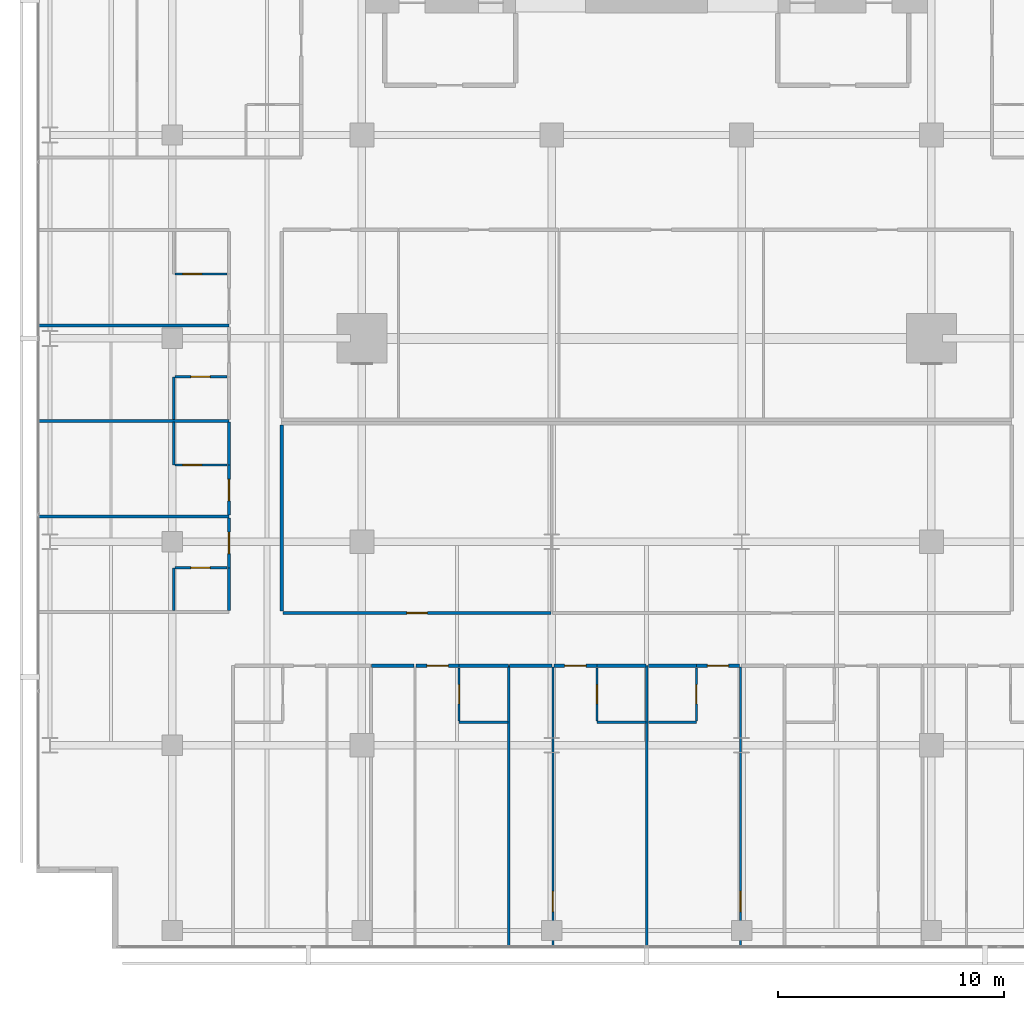
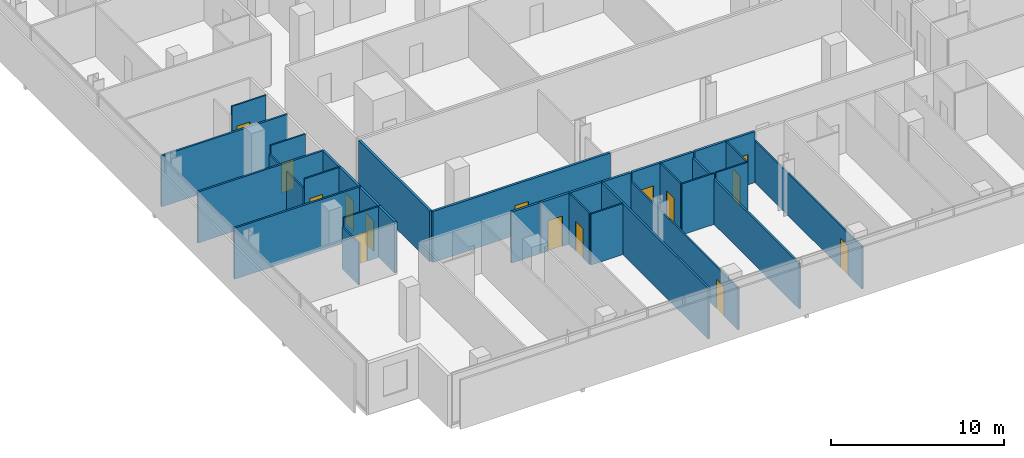
# One storey, part 33 of 40: 34 walls, 15 doors, 15 openings.
"""IFC4 building model written with IfcOpenShell, lengths in metres."""

from ifc_helpers import new_model, si_unit, direction, frame, frame_2d, origin, place, context, subcontext, project, spatial, rectangle, extrude, material, layer, layer_set, type_object, element, fill, save


model = new_model("IFC4")

# Units and contexts
model_context = context("Model", 3, precision=1e-05, world=origin(), true_north=direction((0.0, 1.0)))
body_context = subcontext(model_context, "Body", "Model", "MODEL_VIEW")
ifc_project = project(units=[si_unit("LENGTHUNIT", "METRE"), si_unit("AREAUNIT", "SQUARE_METRE"), si_unit("VOLUMEUNIT", "CUBIC_METRE"), si_unit("PLANEANGLEUNIT", "RADIAN"), si_unit("MASSUNIT", "GRAM", prefix="KILO")], contexts=[model_context])

# Site, building, storey
site_placement = place(None, origin())
site = spatial("IfcSite", under=ifc_project, at=site_placement, CompositionType="ELEMENT")
building_placement = place(site_placement, origin())
building = spatial("IfcBuilding", under=site, at=building_placement, Name="Maruvema Waterfront Hotel and Observation Tower", CompositionType="ELEMENT")
storey_placement = place(building_placement, frame((0.0, 0.0, 34.64990234375)))
storey = spatial("IfcBuildingStorey", under=building, at=storey_placement, Name="L07", CompositionType="ELEMENT", Elevation=34.64990234375)

# Wall
ifc_material_1 = material(Name="Twin-stud acoustic gypsum drywall", Category="gypsum")
ifc_layer_1 = layer(ifc_material_1, 0.14990234375, Name="Acoustic Corridor and Suite Demising Wall 150 mm")
ifc_layer_set_1 = layer_set([ifc_layer_1], Name="Twin-stud acoustic gypsum drywall")
wall_type_1 = type_object("IfcWallType", Name="Acoustic Corridor and Suite Demising Wall 150 mm", PredefinedType="PARTITIONING", material=ifc_layer_set_1)
wall_1_placement = place(storey_placement, frame((21.64990234375, 14.929931640625, 0.0), z_axis=(0.0, 0.0, 1.0), x_axis=(0.0, 1.0, 0.0)))
element("IfcWall", 1, at=wall_1_placement, inside=storey, type_object=wall_type_1, Name="L07 L07-INTS West Wall 023", PredefinedType="PARTITIONING", context=body_context, shape_type="SweptSolid", body=[
    extrude(rectangle(XDim=8.22998046875, YDim=0.14990234375, at=frame_2d((4.114990234375, 0.0))), origin(), (0.0, 0.0, 1.0), 3.610107421875),
])

# Wall, opening, door
wall_2_placement = place(storey_placement, frame((21.7099609375, 14.85009765625, 0.0), z_axis=(0.0, 0.0, 1.0), x_axis=(1.0, 0.0, 0.0)))
wall_2 = element("IfcWall", 2, at=wall_2_placement, inside=storey, type_object=wall_type_1, Name="L07 L07-INTS Front 1 025", PredefinedType="PARTITIONING", context=body_context, shape_type="SweptSolid", body=[
    extrude(rectangle(XDim=11.861083984375, YDim=0.14990234375, at=frame_2d((5.9306640625, 0.0))), origin(), (0.0, 0.0, 1.0), 3.610107421875),
])
opening_1_placement = place(wall_2_placement, frame((5.48046875, 0.0, 0.0)))
opening_1 = element("IfcOpeningElement", 3, at=opening_1_placement, cuts=wall_2, Name="Opening DR-090", PredefinedType="OPENING", context=body_context, shape_type="SweptSolid", body=[
    extrude(rectangle(XDim=0.89990234375, YDim=2.10009765625, at=frame_2d((0.449951171875, 1.050048828125))), frame((0.0, 0.0849609375, 0.0), z_axis=(0.0, -1.0, 0.0), x_axis=(1.0, 0.0, 0.0)), (0.0, 0.0, 1.0), 0.169921875),
])
ifc_material_2 = material(Name="Solid-core lacquered timber leaf", Category="wood")
door_type_1 = type_object("IfcDoorType", Name="Accessible Toilet and Room Door 900x2100 mm", OperationType="NOTDEFINED", PredefinedType="DOOR", material=ifc_material_2)
door_1_placement = place(opening_1_placement, frame((0.89990234375, 0.0, 0.0), z_axis=(0.0, 0.0, 1.0), x_axis=(-1.0, 0.0, 0.0)))
door_1 = element("IfcDoor", 4, at=door_1_placement, inside=storey, type_object=door_type_1, Name="L07 Guest Lounge West Door", OperationType="SINGLE_SWING_LEFT", OverallHeight=2.10009765625, OverallWidth=0.89990234375, PredefinedType="DOOR", context=body_context, shape_type="SweptSolid", body=[
    extrude(rectangle(XDim=0.89990234375, YDim=2.10009765625, at=frame_2d((0.449951171875, 1.050048828125))), frame((0.0, 0.02490234375, 0.0), z_axis=(0.0, -1.0, 0.0), x_axis=(1.0, 0.0, 0.0)), (0.0, 0.0, 1.0), 0.050048828125),
])
fill(opening_1, door_1)

# Walls
wall_3_placement = place(storey_placement, frame((29.5, 12.52001953125, 0.0), z_axis=(0.0, 0.0, 1.0), x_axis=(1.0, 0.0, 0.0)))
element("IfcWall", 5, at=wall_3_placement, inside=storey, type_object=wall_type_1, Name="L07 Bath L07-S2 Back Wall 037", PredefinedType="PARTITIONING", context=body_context, shape_type="SweptSolid", body=[
    extrude(rectangle(XDim=2.179931640625, YDim=0.14990234375, at=frame_2d((1.08984375, 0.0))), origin(), (0.0, 0.0, 1.0), 3.610107421875),
])
wall_4_placement = place(storey_placement, frame((25.6201171875, 12.52001953125, 0.0), z_axis=(0.0, 0.0, 1.0), x_axis=(1.0, 0.0, 0.0)))
element("IfcWall", 6, at=wall_4_placement, inside=storey, type_object=wall_type_1, Name="L07 Bedroom L07-S2 Back Wall 040", PredefinedType="PARTITIONING", context=body_context, shape_type="SweptSolid", body=[
    extrude(rectangle(XDim=1.889892578125, YDim=0.14990234375, at=frame_2d((0.94482421875, 0.0))), origin(), (0.0, 0.0, 1.0), 3.610107421875),
])

# Wall, opening, door
wall_5_placement = place(storey_placement, frame((27.590087890625, 12.52001953125, 0.0), z_axis=(0.0, 0.0, 1.0), x_axis=(1.0, 0.0, 0.0)))
wall_5 = element("IfcWall", 7, at=wall_5_placement, inside=storey, type_object=wall_type_1, Name="L07 Unit L07-S2 Corridor Wall 041", PredefinedType="PARTITIONING", context=body_context, shape_type="SweptSolid", body=[
    extrude(rectangle(XDim=1.909912109375, YDim=0.14990234375, at=frame_2d((0.955078125, 0.0))), origin(), (0.0, 0.0, 1.0), 3.610107421875),
])
opening_2_placement = place(wall_5_placement, frame((0.47998046875, 0.0, 0.0)))
opening_2 = element("IfcOpeningElement", 8, at=opening_2_placement, cuts=wall_5, Name="Opening DR-095", PredefinedType="OPENING", context=body_context, shape_type="SweptSolid", body=[
    extrude(rectangle(XDim=0.949951171875, YDim=2.14990234375, at=frame_2d((0.47509765625, 1.074951171875))), frame((0.0, 0.0849609375, 0.0), z_axis=(0.0, -1.0, 0.0), x_axis=(1.0, 0.0, 0.0)), (0.0, 0.0, 1.0), 0.169921875),
])
ifc_material_3 = material(Name="Acoustic solid-core hardwood timber leaf", Category="wood")
door_type_2 = type_object("IfcDoorType", Name="Guestroom Entrance Fire Door 950x2150 mm", OperationType="NOTDEFINED", PredefinedType="DOOR", material=ifc_material_3)
door_2_placement = place(opening_2_placement, frame((0.949951171875, 0.0, 0.0), z_axis=(0.0, 0.0, 1.0), x_axis=(-1.0, 0.0, 0.0)))
door_2 = element("IfcDoor", 9, at=door_2_placement, inside=storey, type_object=door_type_2, Name="L07 Unit L07-S2 Entrance Door", OperationType="SINGLE_SWING_LEFT", OverallHeight=2.14990234375, OverallWidth=0.949951171875, PredefinedType="DOOR", context=body_context, shape_type="SweptSolid", body=[
    extrude(rectangle(XDim=0.949951171875, YDim=2.14990234375, at=frame_2d((0.47509765625, 1.074951171875))), frame((0.0, 0.02490234375, 0.0), z_axis=(0.0, -1.0, 0.0), x_axis=(1.0, 0.0, 0.0)), (0.0, 0.0, 1.0), 0.050048828125),
])
fill(opening_2, door_2)

# Walls
wall_6_placement = place(storey_placement, frame((35.60009765625, 12.52001953125, 0.0), z_axis=(0.0, 0.0, 1.0), x_axis=(1.0, 0.0, 0.0)))
element("IfcWall", 10, at=wall_6_placement, inside=storey, type_object=wall_type_1, Name="L07 Bath L07-S3 Back Wall 044", PredefinedType="PARTITIONING", context=body_context, shape_type="SweptSolid", body=[
    extrude(rectangle(XDim=2.179931640625, YDim=0.14990234375, at=frame_2d((1.08984375, 0.0))), origin(), (0.0, 0.0, 1.0), 3.610107421875),
])
wall_7_placement = place(storey_placement, frame((31.719970703125, 12.52001953125, 0.0), z_axis=(0.0, 0.0, 1.0), x_axis=(1.0, 0.0, 0.0)))
element("IfcWall", 11, at=wall_7_placement, inside=storey, type_object=wall_type_1, Name="L07 Bedroom L07-S3 Back Wall 047", PredefinedType="PARTITIONING", context=body_context, shape_type="SweptSolid", body=[
    extrude(rectangle(XDim=1.89013671875, YDim=0.14990234375, at=frame_2d((0.945068359375, 0.0))), origin(), (0.0, 0.0, 1.0), 3.610107421875),
])

# Wall, opening, door
wall_8_placement = place(storey_placement, frame((33.68994140625, 12.52001953125, 0.0), z_axis=(0.0, 0.0, 1.0), x_axis=(1.0, 0.0, 0.0)))
wall_8 = element("IfcWall", 12, at=wall_8_placement, inside=storey, type_object=wall_type_1, Name="L07 Unit L07-S3 Corridor Wall 048", PredefinedType="PARTITIONING", context=body_context, shape_type="SweptSolid", body=[
    extrude(rectangle(XDim=1.91015625, YDim=0.14990234375, at=frame_2d((0.955078125, 0.0))), origin(), (0.0, 0.0, 1.0), 3.610107421875),
])
opening_3_placement = place(wall_8_placement, frame((0.47998046875, 0.0, 0.0)))
opening_3 = element("IfcOpeningElement", 13, at=opening_3_placement, cuts=wall_8, Name="Opening DR-095", PredefinedType="OPENING", context=body_context, shape_type="SweptSolid", body=[
    extrude(rectangle(XDim=0.949951171875, YDim=2.14990234375, at=frame_2d((0.47509765625, 1.074951171875))), frame((0.0, 0.0849609375, 0.0), z_axis=(0.0, -1.0, 0.0), x_axis=(1.0, 0.0, 0.0)), (0.0, 0.0, 1.0), 0.169921875),
])
door_3_placement = place(opening_3_placement, frame((0.949951171875, 0.0, 0.0), z_axis=(0.0, 0.0, 1.0), x_axis=(-1.0, 0.0, 0.0)))
door_3 = element("IfcDoor", 14, at=door_3_placement, inside=storey, type_object=door_type_2, Name="L07 Unit L07-S3 Entrance Door", OperationType="SINGLE_SWING_RIGHT", OverallHeight=2.14990234375, OverallWidth=0.949951171875, PredefinedType="DOOR", context=body_context, shape_type="SweptSolid", body=[
    extrude(rectangle(XDim=0.949951171875, YDim=2.14990234375, at=frame_2d((0.47509765625, 1.074951171875))), frame((0.0, 0.02490234375, 0.0), z_axis=(0.0, -1.0, 0.0), x_axis=(1.0, 0.0, 0.0)), (0.0, 0.0, 1.0), 0.050048828125),
])
fill(opening_3, door_3)

# Wall
wall_9_placement = place(storey_placement, frame((37.8798828125, 12.52001953125, 0.0), z_axis=(0.0, 0.0, 1.0), x_axis=(1.0, 0.0, 0.0)))
element("IfcWall", 15, at=wall_9_placement, inside=storey, type_object=wall_type_1, Name="L07 Bath L07-S4 Back Wall 051", PredefinedType="PARTITIONING", context=body_context, shape_type="SweptSolid", body=[
    extrude(rectangle(XDim=2.1201171875, YDim=0.14990234375, at=frame_2d((1.06005859375, 0.0))), origin(), (0.0, 0.0, 1.0), 3.610107421875),
])

# Wall, opening, door
wall_10_placement = place(storey_placement, frame((40.0, 12.52001953125, 0.0), z_axis=(0.0, 0.0, 1.0), x_axis=(1.0, 0.0, 0.0)))
wall_10 = element("IfcWall", 16, at=wall_10_placement, inside=storey, type_object=wall_type_1, Name="L07 Unit L07-S4 Corridor Wall 054", PredefinedType="PARTITIONING", context=body_context, shape_type="SweptSolid", body=[
    extrude(rectangle(XDim=1.909912109375, YDim=0.14990234375, at=frame_2d((0.955078125, 0.0))), origin(), (0.0, 0.0, 1.0), 3.610107421875),
])
opening_4_placement = place(wall_10_placement, frame((0.47998046875, 0.0, 0.0)))
opening_4 = element("IfcOpeningElement", 17, at=opening_4_placement, cuts=wall_10, Name="Opening DR-095", PredefinedType="OPENING", context=body_context, shape_type="SweptSolid", body=[
    extrude(rectangle(XDim=0.949951171875, YDim=2.14990234375, at=frame_2d((0.47509765625, 1.074951171875))), frame((0.0, 0.0849609375, 0.0), z_axis=(0.0, -1.0, 0.0), x_axis=(1.0, 0.0, 0.0)), (0.0, 0.0, 1.0), 0.169921875),
])
door_4_placement = place(opening_4_placement, frame((0.949951171875, 0.0, 0.0), z_axis=(0.0, 0.0, 1.0), x_axis=(-1.0, 0.0, 0.0)))
door_4 = element("IfcDoor", 18, at=door_4_placement, inside=storey, type_object=door_type_2, Name="L07 Unit L07-S4 Entrance Door", OperationType="SINGLE_SWING_LEFT", OverallHeight=2.14990234375, OverallWidth=0.949951171875, PredefinedType="DOOR", context=body_context, shape_type="SweptSolid", body=[
    extrude(rectangle(XDim=0.949951171875, YDim=2.14990234375, at=frame_2d((0.47509765625, 1.074951171875))), frame((0.0, 0.02490234375, 0.0), z_axis=(0.0, -1.0, 0.0), x_axis=(1.0, 0.0, 0.0)), (0.0, 0.0, 1.0), 0.050048828125),
])
fill(opening_4, door_4)

# Wall
wall_11_placement = place(storey_placement, frame((19.320068359375, 14.9599609375, 0.0), z_axis=(0.0, 0.0, 1.0), x_axis=(0.0, 1.0, 0.0)))
element("IfcWall", 19, at=wall_11_placement, inside=storey, type_object=wall_type_1, Name="L07 Bath L07-W1 Wall 075", PredefinedType="PARTITIONING", context=body_context, shape_type="SweptSolid", body=[
    extrude(rectangle(XDim=1.89013671875, YDim=0.14990234375, at=frame_2d((0.945068359375, 0.0))), origin(), (0.0, 0.0, 1.0), 3.610107421875),
])

# Wall, opening, door
wall_12_placement = place(storey_placement, frame((19.320068359375, 16.85009765625, 0.0), z_axis=(0.0, 0.0, 1.0), x_axis=(0.0, 1.0, 0.0)))
wall_12 = element("IfcWall", 20, at=wall_12_placement, inside=storey, type_object=wall_type_1, Name="L07 Room L07-W1 Corridor Wall 076", PredefinedType="PARTITIONING", context=body_context, shape_type="SweptSolid", body=[
    extrude(rectangle(XDim=2.2099609375, YDim=0.14990234375, at=frame_2d((1.10498046875, 0.0))), origin(), (0.0, 0.0, 1.0), 3.610107421875),
])
opening_5_placement = place(wall_12_placement, frame((0.6298828125, 0.0, 0.0)))
opening_5 = element("IfcOpeningElement", 21, at=opening_5_placement, cuts=wall_12, Name="Opening DR-095", PredefinedType="OPENING", context=body_context, shape_type="SweptSolid", body=[
    extrude(rectangle(XDim=0.949951171875, YDim=2.14990234375, at=frame_2d((0.47509765625, 1.074951171875))), frame((0.0, 0.0849609375, 0.0), z_axis=(0.0, -1.0, 0.0), x_axis=(1.0, 0.0, 0.0)), (0.0, 0.0, 1.0), 0.169921875),
])
door_5_placement = place(opening_5_placement, origin())
door_5 = element("IfcDoor", 22, at=door_5_placement, inside=storey, type_object=door_type_2, Name="L07 Room L07-W1 Entrance Door", OperationType="SINGLE_SWING_RIGHT", OverallHeight=2.14990234375, OverallWidth=0.949951171875, PredefinedType="DOOR", context=body_context, shape_type="SweptSolid", body=[
    extrude(rectangle(XDim=0.949951171875, YDim=2.14990234375, at=frame_2d((0.47509765625, 1.074951171875))), frame((0.0, 0.02490234375, 0.0), z_axis=(0.0, -1.0, 0.0), x_axis=(1.0, 0.0, 0.0)), (0.0, 0.0, 1.0), 0.050048828125),
])
fill(opening_5, door_5)

wall_13_placement = place(storey_placement, frame((19.320068359375, 19.179931640625, 0.0), z_axis=(0.0, 0.0, 1.0), x_axis=(0.0, 1.0, 0.0)))
wall_13 = element("IfcWall", 23, at=wall_13_placement, inside=storey, type_object=wall_type_1, Name="L07 Room L07-W2 Corridor Wall 085", PredefinedType="PARTITIONING", context=body_context, shape_type="SweptSolid", body=[
    extrude(rectangle(XDim=2.219970703125, YDim=0.14990234375, at=frame_2d((1.10986328125, 0.0))), origin(), (0.0, 0.0, 1.0), 3.610107421875),
])
opening_6_placement = place(wall_13_placement, frame((0.635009765625, 0.0, 0.0)))
opening_6 = element("IfcOpeningElement", 24, at=opening_6_placement, cuts=wall_13, Name="Opening DR-095", PredefinedType="OPENING", context=body_context, shape_type="SweptSolid", body=[
    extrude(rectangle(XDim=0.949951171875, YDim=2.14990234375, at=frame_2d((0.47509765625, 1.074951171875))), frame((0.0, 0.0849609375, 0.0), z_axis=(0.0, -1.0, 0.0), x_axis=(1.0, 0.0, 0.0)), (0.0, 0.0, 1.0), 0.169921875),
])
door_6_placement = place(opening_6_placement, origin())
door_6 = element("IfcDoor", 25, at=door_6_placement, inside=storey, type_object=door_type_2, Name="L07 Room L07-W2 Entrance Door", OperationType="SINGLE_SWING_RIGHT", OverallHeight=2.14990234375, OverallWidth=0.949951171875, PredefinedType="DOOR", context=body_context, shape_type="SweptSolid", body=[
    extrude(rectangle(XDim=0.949951171875, YDim=2.14990234375, at=frame_2d((0.47509765625, 1.074951171875))), frame((0.0, 0.02490234375, 0.0), z_axis=(0.0, -1.0, 0.0), x_axis=(1.0, 0.0, 0.0)), (0.0, 0.0, 1.0), 0.050048828125),
])
fill(opening_6, door_6)

# Walls
wall_14_placement = place(storey_placement, frame((19.320068359375, 21.39990234375, 0.0), z_axis=(0.0, 0.0, 1.0), x_axis=(0.0, 1.0, 0.0)))
element("IfcWall", 26, at=wall_14_placement, inside=storey, type_object=wall_type_1, Name="L07 Bath L07-W2 Wall 086", PredefinedType="PARTITIONING", context=body_context, shape_type="SweptSolid", body=[
    extrude(rectangle(XDim=1.89013671875, YDim=0.14990234375, at=frame_2d((0.945068359375, 0.0))), origin(), (0.0, 0.0, 1.0), 3.610107421875),
])
ifc_material_4 = material(Name="Moisture-resistant cement-board drywall", Category="gypsum")
ifc_layer_2 = layer(ifc_material_4, 0.10009765625, Name="En-Suite Moisture-Resistant Partition 100 mm")
ifc_layer_set_2 = layer_set([ifc_layer_2], Name="Moisture-resistant cement-board drywall")
wall_type_2 = type_object("IfcWallType", Name="En-Suite Moisture-Resistant Partition 100 mm", PredefinedType="PARTITIONING", material=ifc_layer_set_2)
wall_15_placement = place(storey_placement, frame((29.5, 10.02001953125, 0.0), z_axis=(0.0, 0.0, 1.0), x_axis=(1.0, 0.0, 0.0)))
element("IfcWall", 27, at=wall_15_placement, inside=storey, type_object=wall_type_2, Name="L07 En-Suite L07-S2 South 038", PredefinedType="PARTITIONING", context=body_context, shape_type="SweptSolid", body=[
    extrude(rectangle(XDim=2.159912109375, YDim=0.10009765625, at=frame_2d((1.080078125, 0.0))), origin(), (0.0, 0.0, 1.0), 3.610107421875),
])

# Wall, opening, door
wall_16_placement = place(storey_placement, frame((29.5, 10.080078125, 0.0), z_axis=(0.0, 0.0, 1.0), x_axis=(0.0, 1.0, 0.0)))
wall_16 = element("IfcWall", 28, at=wall_16_placement, inside=storey, type_object=wall_type_2, Name="L07 En-Suite L07-S2 West 039", PredefinedType="PARTITIONING", context=body_context, shape_type="SweptSolid", body=[
    extrude(rectangle(XDim=2.33984375, YDim=0.10009765625, at=frame_2d((1.169921875, 0.0))), origin(), (0.0, 0.0, 1.0), 3.610107421875),
])
opening_7_placement = place(wall_16_placement, frame((0.7451171875, 0.0, 0.0)))
opening_7 = element("IfcOpeningElement", 29, at=opening_7_placement, cuts=wall_16, Name="Opening DR-085", PredefinedType="OPENING", context=body_context, shape_type="SweptSolid", body=[
    extrude(rectangle(XDim=0.85009765625, YDim=2.10009765625, at=frame_2d((0.425048828125, 1.050048828125))), frame((0.0, 0.06005859375, 0.0), z_axis=(0.0, -1.0, 0.0), x_axis=(1.0, 0.0, 0.0)), (0.0, 0.0, 1.0), 0.1201171875),
])
ifc_material_5 = material(Name="Moisture-resistant solid timber leaf", Category="wood")
door_type_3 = type_object("IfcDoorType", Name="En-Suite Bathroom Door 850x2100 mm", OperationType="NOTDEFINED", PredefinedType="DOOR", material=ifc_material_5)
door_7_placement = place(opening_7_placement, origin())
door_7 = element("IfcDoor", 30, at=door_7_placement, inside=storey, type_object=door_type_3, Name="L07 En-Suite L07-S2 Door", OperationType="SINGLE_SWING_RIGHT", OverallHeight=2.10009765625, OverallWidth=0.85009765625, PredefinedType="DOOR", context=body_context, shape_type="SweptSolid", body=[
    extrude(rectangle(XDim=0.85009765625, YDim=2.10009765625, at=frame_2d((0.425048828125, 1.050048828125))), frame((0.0, 0.02490234375, 0.0), z_axis=(0.0, -1.0, 0.0), x_axis=(1.0, 0.0, 0.0)), (0.0, 0.0, 1.0), 0.050048828125),
])
fill(opening_7, door_7)

# Wall
wall_17_placement = place(storey_placement, frame((35.60009765625, 10.02001953125, 0.0), z_axis=(0.0, 0.0, 1.0), x_axis=(1.0, 0.0, 0.0)))
element("IfcWall", 31, at=wall_17_placement, inside=storey, type_object=wall_type_2, Name="L07 En-Suite L07-S3 South 045", PredefinedType="PARTITIONING", context=body_context, shape_type="SweptSolid", body=[
    extrude(rectangle(XDim=2.159912109375, YDim=0.10009765625, at=frame_2d((1.080078125, 0.0))), origin(), (0.0, 0.0, 1.0), 3.610107421875),
])

# Wall, opening, door
wall_18_placement = place(storey_placement, frame((35.60009765625, 10.080078125, 0.0), z_axis=(0.0, 0.0, 1.0), x_axis=(0.0, 1.0, 0.0)))
wall_18 = element("IfcWall", 32, at=wall_18_placement, inside=storey, type_object=wall_type_2, Name="L07 En-Suite L07-S3 West 046", PredefinedType="PARTITIONING", context=body_context, shape_type="SweptSolid", body=[
    extrude(rectangle(XDim=2.33984375, YDim=0.10009765625, at=frame_2d((1.169921875, 0.0))), origin(), (0.0, 0.0, 1.0), 3.610107421875),
])
opening_8_placement = place(wall_18_placement, frame((0.7451171875, 0.0, 0.0)))
opening_8 = element("IfcOpeningElement", 33, at=opening_8_placement, cuts=wall_18, Name="Opening DR-085", PredefinedType="OPENING", context=body_context, shape_type="SweptSolid", body=[
    extrude(rectangle(XDim=0.85009765625, YDim=2.10009765625, at=frame_2d((0.425048828125, 1.050048828125))), frame((0.0, 0.06005859375, 0.0), z_axis=(0.0, -1.0, 0.0), x_axis=(1.0, 0.0, 0.0)), (0.0, 0.0, 1.0), 0.1201171875),
])
door_8_placement = place(opening_8_placement, origin())
door_8 = element("IfcDoor", 34, at=door_8_placement, inside=storey, type_object=door_type_3, Name="L07 En-Suite L07-S3 Door", OperationType="SINGLE_SWING_LEFT", OverallHeight=2.10009765625, OverallWidth=0.85009765625, PredefinedType="DOOR", context=body_context, shape_type="SweptSolid", body=[
    extrude(rectangle(XDim=0.85009765625, YDim=2.10009765625, at=frame_2d((0.425048828125, 1.050048828125))), frame((0.0, 0.02490234375, 0.0), z_axis=(0.0, -1.0, 0.0), x_axis=(1.0, 0.0, 0.0)), (0.0, 0.0, 1.0), 0.050048828125),
])
fill(opening_8, door_8)

wall_19_placement = place(storey_placement, frame((33.64990234375, 0.030029296875, 0.0), z_axis=(0.0, 0.0, 1.0), x_axis=(0.0, 1.0, 0.0)))
wall_19 = element("IfcWall", 35, at=wall_19_placement, inside=storey, type_object=wall_type_2, Name="L07 Suite L07-S3 Split 049", PredefinedType="PARTITIONING", context=body_context, shape_type="SweptSolid", body=[
    extrude(rectangle(XDim=12.429931640625, YDim=0.10009765625, at=frame_2d((6.21484375, 0.0))), origin(), (0.0, 0.0, 1.0), 2.988037109375),
])
opening_9_placement = place(wall_19_placement, frame((1.60009765625, 0.0, 0.0)))
opening_9 = element("IfcOpeningElement", 36, at=opening_9_placement, cuts=wall_19, Name="Opening DR-090", PredefinedType="OPENING", context=body_context, shape_type="SweptSolid", body=[
    extrude(rectangle(XDim=0.89990234375, YDim=2.10009765625, at=frame_2d((0.449951171875, 1.050048828125))), frame((0.0, 0.06005859375, 0.0), z_axis=(0.0, -1.0, 0.0), x_axis=(1.0, 0.0, 0.0)), (0.0, 0.0, 1.0), 0.1201171875),
])
door_9_placement = place(opening_9_placement, frame((0.89990234375, 0.0, 0.0), z_axis=(0.0, 0.0, 1.0), x_axis=(-1.0, 0.0, 0.0)))
door_9 = element("IfcDoor", 37, at=door_9_placement, inside=storey, type_object=door_type_1, Name="L07 Suite L07-S3 Bedroom Door", OperationType="SINGLE_SWING_LEFT", OverallHeight=2.10009765625, OverallWidth=0.89990234375, PredefinedType="DOOR", context=body_context, shape_type="SweptSolid", body=[
    extrude(rectangle(XDim=0.89990234375, YDim=2.10009765625, at=frame_2d((0.449951171875, 1.050048828125))), frame((0.0, 0.02490234375, 0.0), z_axis=(0.0, -1.0, 0.0), x_axis=(1.0, 0.0, 0.0)), (0.0, 0.0, 1.0), 0.050048828125),
])
fill(opening_9, door_9)

# Wall
wall_20_placement = place(storey_placement, frame((37.8798828125, 10.02001953125, 0.0), z_axis=(0.0, 0.0, 1.0), x_axis=(1.0, 0.0, 0.0)))
element("IfcWall", 38, at=wall_20_placement, inside=storey, type_object=wall_type_2, Name="L07 En-Suite L07-S4 South 052", PredefinedType="PARTITIONING", context=body_context, shape_type="SweptSolid", body=[
    extrude(rectangle(XDim=2.1201171875, YDim=0.10009765625, at=frame_2d((1.06005859375, 0.0))), origin(), (0.0, 0.0, 1.0), 3.610107421875),
])

# Wall, opening, door
wall_21_placement = place(storey_placement, frame((40.0, 10.080078125, 0.0), z_axis=(0.0, 0.0, 1.0), x_axis=(0.0, 1.0, 0.0)))
wall_21 = element("IfcWall", 39, at=wall_21_placement, inside=storey, type_object=wall_type_2, Name="L07 En-Suite L07-S4 East 053", PredefinedType="PARTITIONING", context=body_context, shape_type="SweptSolid", body=[
    extrude(rectangle(XDim=2.33984375, YDim=0.10009765625, at=frame_2d((1.169921875, 0.0))), origin(), (0.0, 0.0, 1.0), 3.610107421875),
])
opening_10_placement = place(wall_21_placement, frame((0.7451171875, 0.0, 0.0)))
opening_10 = element("IfcOpeningElement", 40, at=opening_10_placement, cuts=wall_21, Name="Opening DR-085", PredefinedType="OPENING", context=body_context, shape_type="SweptSolid", body=[
    extrude(rectangle(XDim=0.85009765625, YDim=2.10009765625, at=frame_2d((0.425048828125, 1.050048828125))), frame((0.0, 0.06005859375, 0.0), z_axis=(0.0, -1.0, 0.0), x_axis=(1.0, 0.0, 0.0)), (0.0, 0.0, 1.0), 0.1201171875),
])
door_10_placement = place(opening_10_placement, frame((0.85009765625, 0.0, 0.0), z_axis=(0.0, 0.0, 1.0), x_axis=(-1.0, 0.0, 0.0)))
door_10 = element("IfcDoor", 41, at=door_10_placement, inside=storey, type_object=door_type_3, Name="L07 En-Suite L07-S4 Door", OperationType="SINGLE_SWING_RIGHT", OverallHeight=2.10009765625, OverallWidth=0.85009765625, PredefinedType="DOOR", context=body_context, shape_type="SweptSolid", body=[
    extrude(rectangle(XDim=0.85009765625, YDim=2.10009765625, at=frame_2d((0.425048828125, 1.050048828125))), frame((0.0, 0.02490234375, 0.0), z_axis=(0.0, -1.0, 0.0), x_axis=(1.0, 0.0, 0.0)), (0.0, 0.0, 1.0), 0.050048828125),
])
fill(opening_10, door_10)

wall_22_placement = place(storey_placement, frame((41.949951171875, 0.030029296875, 0.0), z_axis=(0.0, 0.0, 1.0), x_axis=(0.0, 1.0, 0.0)))
wall_22 = element("IfcWall", 42, at=wall_22_placement, inside=storey, type_object=wall_type_2, Name="L07 Suite L07-S4 Split 056", PredefinedType="PARTITIONING", context=body_context, shape_type="SweptSolid", body=[
    extrude(rectangle(XDim=12.429931640625, YDim=0.10009765625, at=frame_2d((6.21484375, 0.0))), origin(), (0.0, 0.0, 1.0), 2.988037109375),
])
opening_11_placement = place(wall_22_placement, frame((1.60009765625, 0.0, 0.0)))
opening_11 = element("IfcOpeningElement", 43, at=opening_11_placement, cuts=wall_22, Name="Opening DR-090", PredefinedType="OPENING", context=body_context, shape_type="SweptSolid", body=[
    extrude(rectangle(XDim=0.89990234375, YDim=2.10009765625, at=frame_2d((0.449951171875, 1.050048828125))), frame((0.0, 0.06005859375, 0.0), z_axis=(0.0, -1.0, 0.0), x_axis=(1.0, 0.0, 0.0)), (0.0, 0.0, 1.0), 0.1201171875),
])
door_11_placement = place(opening_11_placement, origin())
door_11 = element("IfcDoor", 44, at=door_11_placement, inside=storey, type_object=door_type_1, Name="L07 Suite L07-S4 Bedroom Door", OperationType="SINGLE_SWING_RIGHT", OverallHeight=2.10009765625, OverallWidth=0.89990234375, PredefinedType="DOOR", context=body_context, shape_type="SweptSolid", body=[
    extrude(rectangle(XDim=0.89990234375, YDim=2.10009765625, at=frame_2d((0.449951171875, 1.050048828125))), frame((0.0, 0.02490234375, 0.0), z_axis=(0.0, -1.0, 0.0), x_axis=(1.0, 0.0, 0.0)), (0.0, 0.0, 1.0), 0.050048828125),
])
fill(opening_11, door_11)

# Wall
wall_23_placement = place(storey_placement, frame((16.8701171875, 14.9599609375, 0.0), z_axis=(0.0, 0.0, 1.0), x_axis=(0.0, 1.0, 0.0)))
element("IfcWall", 45, at=wall_23_placement, inside=storey, type_object=wall_type_2, Name="L07 En-Suite L07-W1 W 077", PredefinedType="PARTITIONING", context=body_context, shape_type="SweptSolid", body=[
    extrude(rectangle(XDim=1.89013671875, YDim=0.10009765625, at=frame_2d((0.945068359375, 0.0))), origin(), (0.0, 0.0, 1.0), 2.988037109375),
])

# Wall, opening, door
wall_24_placement = place(storey_placement, frame((16.919921875, 16.85009765625, 0.0), z_axis=(0.0, 0.0, 1.0), x_axis=(1.0, 0.0, 0.0)))
wall_24 = element("IfcWall", 46, at=wall_24_placement, inside=storey, type_object=wall_type_2, Name="L07 En-Suite L07-W1 N 078", PredefinedType="PARTITIONING", context=body_context, shape_type="SweptSolid", body=[
    extrude(rectangle(XDim=2.300048828125, YDim=0.10009765625, at=frame_2d((1.14990234375, 0.0))), origin(), (0.0, 0.0, 1.0), 3.610107421875),
])
opening_12_placement = place(wall_24_placement, frame((0.7099609375, 0.0, 0.0)))
opening_12 = element("IfcOpeningElement", 47, at=opening_12_placement, cuts=wall_24, Name="Opening DR-085", PredefinedType="OPENING", context=body_context, shape_type="SweptSolid", body=[
    extrude(rectangle(XDim=0.85009765625, YDim=2.10009765625, at=frame_2d((0.425048828125, 1.050048828125))), frame((0.0, 0.06005859375, 0.0), z_axis=(0.0, -1.0, 0.0), x_axis=(1.0, 0.0, 0.0)), (0.0, 0.0, 1.0), 0.1201171875),
])
door_12_placement = place(opening_12_placement, origin())
door_12 = element("IfcDoor", 48, at=door_12_placement, inside=storey, type_object=door_type_3, Name="L07 En-Suite L07-W1 Door", OperationType="SINGLE_SWING_LEFT", OverallHeight=2.10009765625, OverallWidth=0.85009765625, PredefinedType="DOOR", context=body_context, shape_type="SweptSolid", body=[
    extrude(rectangle(XDim=0.85009765625, YDim=2.10009765625, at=frame_2d((0.425048828125, 1.050048828125))), frame((0.0, 0.02490234375, 0.0), z_axis=(0.0, -1.0, 0.0), x_axis=(1.0, 0.0, 0.0)), (0.0, 0.0, 1.0), 0.050048828125),
])
fill(opening_12, door_12)

# Wall
wall_25_placement = place(storey_placement, frame((16.8701171875, 21.39990234375, 0.0), z_axis=(0.0, 0.0, 1.0), x_axis=(0.0, 1.0, 0.0)))
element("IfcWall", 49, at=wall_25_placement, inside=storey, type_object=wall_type_2, Name="L07 En-Suite L07-W2 W 087", PredefinedType="PARTITIONING", context=body_context, shape_type="SweptSolid", body=[
    extrude(rectangle(XDim=1.89013671875, YDim=0.10009765625, at=frame_2d((0.945068359375, 0.0))), origin(), (0.0, 0.0, 1.0), 2.988037109375),
])

# Wall, opening, door
wall_26_placement = place(storey_placement, frame((16.919921875, 21.39990234375, 0.0), z_axis=(0.0, 0.0, 1.0), x_axis=(1.0, 0.0, 0.0)))
wall_26 = element("IfcWall", 50, at=wall_26_placement, inside=storey, type_object=wall_type_2, Name="L07 En-Suite L07-W2 S 088", PredefinedType="PARTITIONING", context=body_context, shape_type="SweptSolid", body=[
    extrude(rectangle(XDim=2.300048828125, YDim=0.10009765625, at=frame_2d((1.14990234375, 0.0))), origin(), (0.0, 0.0, 1.0), 3.610107421875),
])
opening_13_placement = place(wall_26_placement, frame((0.35009765625, 0.0, 0.0)))
opening_13 = element("IfcOpeningElement", 51, at=opening_13_placement, cuts=wall_26, Name="Opening DR-085", PredefinedType="OPENING", context=body_context, shape_type="SweptSolid", body=[
    extrude(rectangle(XDim=0.85009765625, YDim=2.10009765625, at=frame_2d((0.425048828125, 1.050048828125))), frame((0.0, 0.06005859375, 0.0), z_axis=(0.0, -1.0, 0.0), x_axis=(1.0, 0.0, 0.0)), (0.0, 0.0, 1.0), 0.1201171875),
])
door_13_placement = place(opening_13_placement, frame((0.85009765625, 0.0, 0.0), z_axis=(0.0, 0.0, 1.0), x_axis=(-1.0, 0.0, 0.0)))
door_13 = element("IfcDoor", 52, at=door_13_placement, inside=storey, type_object=door_type_3, Name="L07 En-Suite L07-W2 Door", OperationType="SINGLE_SWING_LEFT", OverallHeight=2.10009765625, OverallWidth=0.85009765625, PredefinedType="DOOR", context=body_context, shape_type="SweptSolid", body=[
    extrude(rectangle(XDim=0.85009765625, YDim=2.10009765625, at=frame_2d((0.425048828125, 1.050048828125))), frame((0.0, 0.02490234375, 0.0), z_axis=(0.0, -1.0, 0.0), x_axis=(1.0, 0.0, 0.0)), (0.0, 0.0, 1.0), 0.050048828125),
])
fill(opening_13, door_13)

# Wall
wall_27_placement = place(storey_placement, frame((16.8701171875, 23.409912109375, 0.0), z_axis=(0.0, 0.0, 1.0), x_axis=(0.0, 1.0, 0.0)))
element("IfcWall", 53, at=wall_27_placement, inside=storey, type_object=wall_type_2, Name="L07 En-Suite L07-W3 W 097", PredefinedType="PARTITIONING", context=body_context, shape_type="SweptSolid", body=[
    extrude(rectangle(XDim=1.89013671875, YDim=0.10009765625, at=frame_2d((0.945068359375, 0.0))), origin(), (0.0, 0.0, 1.0), 2.988037109375),
])

# Wall, opening, door
wall_28_placement = place(storey_placement, frame((16.919921875, 25.300048828125, 0.0), z_axis=(0.0, 0.0, 1.0), x_axis=(1.0, 0.0, 0.0)))
wall_28 = element("IfcWall", 54, at=wall_28_placement, inside=storey, type_object=wall_type_2, Name="L07 En-Suite L07-W3 N 098", PredefinedType="PARTITIONING", context=body_context, shape_type="SweptSolid", body=[
    extrude(rectangle(XDim=2.300048828125, YDim=0.10009765625, at=frame_2d((1.14990234375, 0.0))), origin(), (0.0, 0.0, 1.0), 3.610107421875),
])
opening_14_placement = place(wall_28_placement, frame((0.7099609375, 0.0, 0.0)))
opening_14 = element("IfcOpeningElement", 55, at=opening_14_placement, cuts=wall_28, Name="Opening DR-085", PredefinedType="OPENING", context=body_context, shape_type="SweptSolid", body=[
    extrude(rectangle(XDim=0.85009765625, YDim=2.10009765625, at=frame_2d((0.425048828125, 1.050048828125))), frame((0.0, 0.06005859375, 0.0), z_axis=(0.0, -1.0, 0.0), x_axis=(1.0, 0.0, 0.0)), (0.0, 0.0, 1.0), 0.1201171875),
])
door_14_placement = place(opening_14_placement, origin())
door_14 = element("IfcDoor", 56, at=door_14_placement, inside=storey, type_object=door_type_3, Name="L07 En-Suite L07-W3 Door", OperationType="SINGLE_SWING_LEFT", OverallHeight=2.10009765625, OverallWidth=0.85009765625, PredefinedType="DOOR", context=body_context, shape_type="SweptSolid", body=[
    extrude(rectangle(XDim=0.85009765625, YDim=2.10009765625, at=frame_2d((0.425048828125, 1.050048828125))), frame((0.0, 0.02490234375, 0.0), z_axis=(0.0, -1.0, 0.0), x_axis=(1.0, 0.0, 0.0)), (0.0, 0.0, 1.0), 0.050048828125),
])
fill(opening_14, door_14)

wall_29_placement = place(storey_placement, frame((16.919921875, 29.85009765625, 0.0), z_axis=(0.0, 0.0, 1.0), x_axis=(1.0, 0.0, 0.0)))
wall_29 = element("IfcWall", 57, at=wall_29_placement, inside=storey, type_object=wall_type_2, Name="L07 En-Suite L07-W4 S 108", PredefinedType="PARTITIONING", context=body_context, shape_type="SweptSolid", body=[
    extrude(rectangle(XDim=2.300048828125, YDim=0.10009765625, at=frame_2d((1.14990234375, 0.0))), origin(), (0.0, 0.0, 1.0), 3.610107421875),
])
opening_15_placement = place(wall_29_placement, frame((0.35009765625, 0.0, 0.0)))
opening_15 = element("IfcOpeningElement", 58, at=opening_15_placement, cuts=wall_29, Name="Opening DR-085", PredefinedType="OPENING", context=body_context, shape_type="SweptSolid", body=[
    extrude(rectangle(XDim=0.85009765625, YDim=2.10009765625, at=frame_2d((0.425048828125, 1.050048828125))), frame((0.0, 0.06005859375, 0.0), z_axis=(0.0, -1.0, 0.0), x_axis=(1.0, 0.0, 0.0)), (0.0, 0.0, 1.0), 0.1201171875),
])
door_15_placement = place(opening_15_placement, frame((0.85009765625, 0.0, 0.0), z_axis=(0.0, 0.0, 1.0), x_axis=(-1.0, 0.0, 0.0)))
door_15 = element("IfcDoor", 59, at=door_15_placement, inside=storey, type_object=door_type_3, Name="L07 En-Suite L07-W4 Door", OperationType="SINGLE_SWING_LEFT", OverallHeight=2.10009765625, OverallWidth=0.85009765625, PredefinedType="DOOR", context=body_context, shape_type="SweptSolid", body=[
    extrude(rectangle(XDim=0.85009765625, YDim=2.10009765625, at=frame_2d((0.425048828125, 1.050048828125))), frame((0.0, 0.02490234375, 0.0), z_axis=(0.0, -1.0, 0.0), x_axis=(1.0, 0.0, 0.0)), (0.0, 0.0, 1.0), 0.050048828125),
])
fill(opening_15, door_15)

# Walls
ifc_material_6 = material(Name="Acoustic gypsum plasterboard drywall", Category="gypsum")
ifc_layer_3 = layer(ifc_material_6, 0.125, Name="Guestroom Acoustic Demising Wall 125 mm")
ifc_layer_set_3 = layer_set([ifc_layer_3], Name="Acoustic gypsum plasterboard drywall")
wall_type_3 = type_object("IfcWallType", Name="Guestroom Acoustic Demising Wall 125 mm", PredefinedType="PARTITIONING", material=ifc_layer_set_3)
wall_30_placement = place(storey_placement, frame((31.699951171875, 0.10009765625, 0.0), z_axis=(0.0, 0.0, 1.0), x_axis=(0.0, 1.0, 0.0)))
element("IfcWall", 60, at=wall_30_placement, inside=storey, type_object=wall_type_3, Name="L07 S Demising 3 043", PredefinedType="PARTITIONING", context=body_context, shape_type="SweptSolid", body=[
    extrude(rectangle(XDim=12.419921875, YDim=0.125, at=frame_2d((6.2099609375, 0.0))), origin(), (0.0, 0.0, 1.0), 3.610107421875),
])
wall_31_placement = place(storey_placement, frame((37.800048828125, 0.10009765625, 0.0), z_axis=(0.0, 0.0, 1.0), x_axis=(0.0, 1.0, 0.0)))
element("IfcWall", 61, at=wall_31_placement, inside=storey, type_object=wall_type_3, Name="L07 S Demising 4 050", PredefinedType="PARTITIONING", context=body_context, shape_type="SweptSolid", body=[
    extrude(rectangle(XDim=12.419921875, YDim=0.125, at=frame_2d((6.2099609375, 0.0))), origin(), (0.0, 0.0, 1.0), 3.20703125),
])
for number, where, z_axis, x_axis, name in (
    (62, (10.89990234375, 19.1201171875, 0.0), (0.0, 0.0, 1.0), (1.0, 0.0, 0.0), "L07 W Demising 2 083"),
    (63, (10.89990234375, 23.35009765625, 0.0), (0.0, 0.0, 1.0), (1.0, 0.0, 0.0), "L07 W Demising 3 093"),
    (64, (10.89990234375, 27.570068359375, 0.0), (0.0, 0.0, 1.0), (1.0, 0.0, 0.0), "L07 W Demising 4 103"),
):
    element("IfcWall", number, at=place(storey_placement, frame(where, z_axis=z_axis, x_axis=x_axis)), inside=storey, type_object=wall_type_3, Name=name, PredefinedType="PARTITIONING", context=body_context, shape_type="SweptSolid", body=[
        extrude(rectangle(XDim=8.420166015625, YDim=0.125, at=frame_2d((4.2099609375, 0.0))), origin(), (0.0, 0.0, 1.0), 3.610107421875),
    ])

save(model, "model.ifc")
